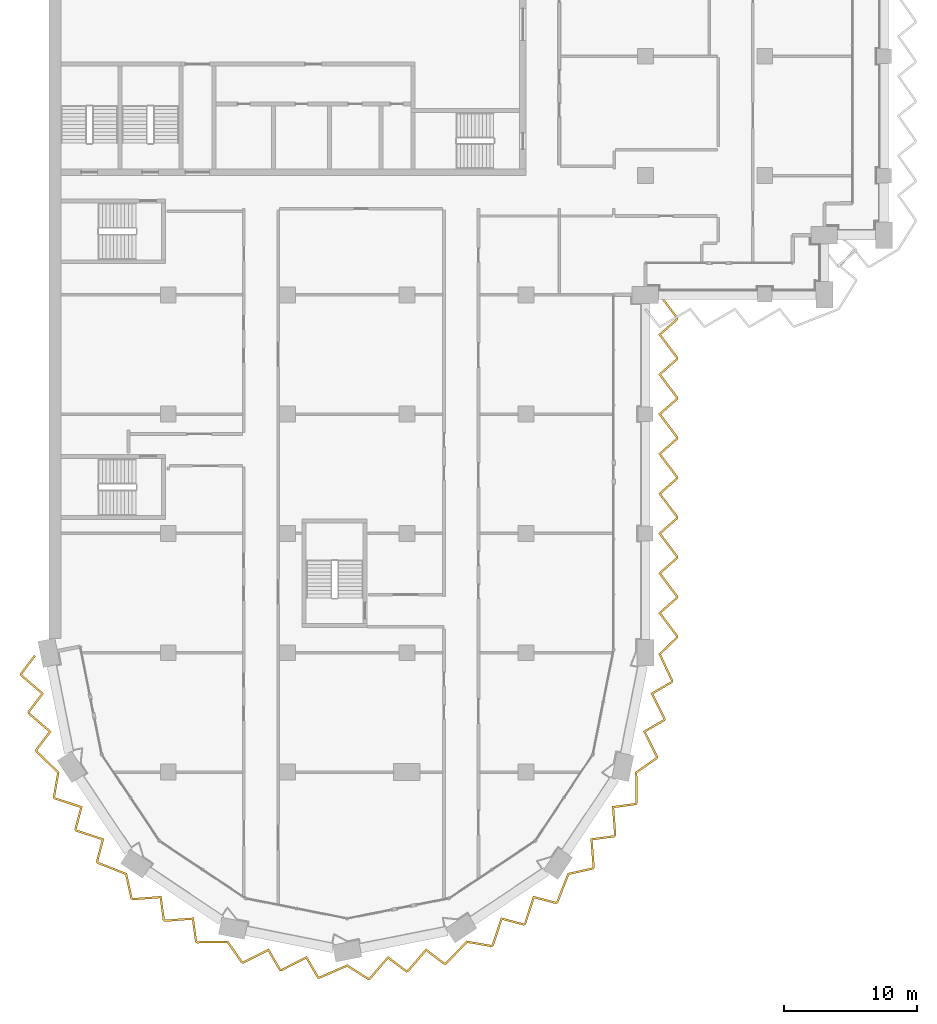
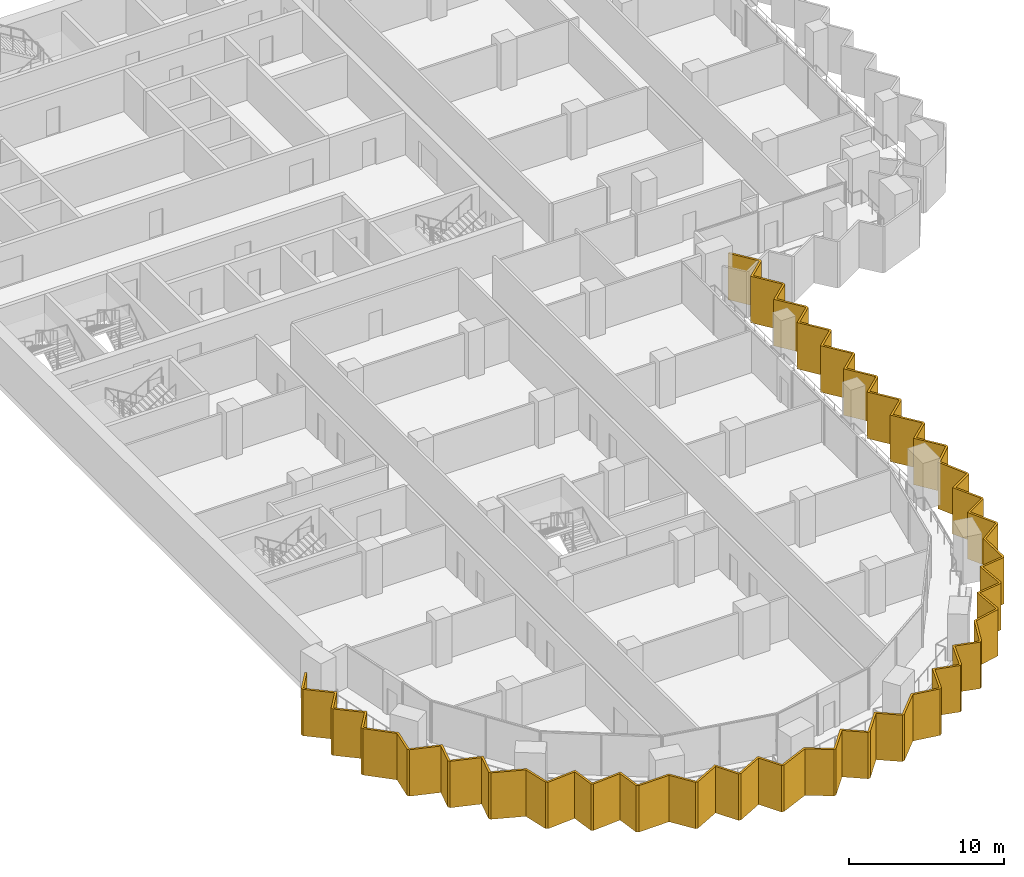
# One storey, part 18 of 22: 1 shading device.
"""IFC4 building model written with IfcOpenShell, lengths in metres."""

from ifc_helpers import new_model, si_unit, direction, frame, origin, place, context, subcontext, project, spatial, polyline, outline, extrude, material, layer, layer_set, type_object, element, save


model = new_model("IFC4")

# Units and contexts
model_context = context("Model", 3, precision=1e-05, world=origin(), true_north=direction((0.0, 1.0)))
body_context = subcontext(model_context, "Body", "Model", "MODEL_VIEW")
ifc_project = project(units=[si_unit("LENGTHUNIT", "METRE"), si_unit("AREAUNIT", "SQUARE_METRE"), si_unit("VOLUMEUNIT", "CUBIC_METRE"), si_unit("PLANEANGLEUNIT", "RADIAN"), si_unit("MASSUNIT", "GRAM", prefix="KILO")], contexts=[model_context])

# Site, building, storey
site_placement = place(None, origin())
site = spatial("IfcSite", under=ifc_project, at=site_placement, CompositionType="ELEMENT")
building_placement = place(site_placement, origin())
building = spatial("IfcBuilding", under=site, at=building_placement, Name="Hunhe Ridgeline Campus", CompositionType="ELEMENT")
storey_placement = place(building_placement, frame((0.0, 0.0, 159.699951171875)))
storey = spatial("IfcBuildingStorey", under=building, at=storey_placement, Name="L40", CompositionType="ELEMENT", Elevation=159.699951171875)

# Shading device
ifc_material = material(Name="Concrete C50", Category="concrete")
ifc_layer = layer(ifc_material, 0.14990234375)
ifc_layer_set = layer_set([ifc_layer], Name="Sawtooth concrete fin 150 Concrete C50")
shading_device_type = type_object("IfcShadingDeviceType", Name="Sawtooth concrete fin 150 Concrete C50", PredefinedType="USERDEFINED", material=ifc_layer_set)
shading_device_placement = place(storey_placement, frame((0.0, 0.0, -0.949951171875)))
element("IfcShadingDevice", 1, at=shading_device_placement, inside=storey, type_object=shading_device_type, Name="Concrete fin screen 1", ObjectType="FIN", PredefinedType="USERDEFINED", context=body_context, shape_type="SweptSolid", body=[
    extrude(outline(polyline([(-0.99462890625, 26.744873046875), (-1.114013671875, 26.835693359375), (-2.185791015625, 25.43017578125), (-2.150634765625, 25.25390625), (-0.5859375, 23.909423828125), (-1.61474609375, 22.56005859375), (-1.579833984375, 22.3837890625), (-0.01513671875, 21.039306640625), (-1.0439453125, 19.68994140625), (-1.00927734375, 19.515869140625), (0.619384765625, 17.94384765625), (0.296142578125, 16.099609375), (0.39404296875, 15.953369140625), (2.35400390625, 15.31005859375), (1.919921875, 13.669677734375), (2.019775390625, 13.520263671875), (3.97998046875, 12.876953125), (3.545654296875, 11.236572265625), (3.644287109375, 11.089111328125), (5.75048828125, 10.259765625), (6.15771484375, 8.432373046875), (6.303955078125, 8.334716796875), (8.361083984375, 8.490234375), (8.587890625, 6.80859375), (8.7373046875, 6.708740234375), (10.79443359375, 6.864501953125), (11.02099609375, 5.182861328125), (11.16845703125, 5.08447265625), (13.431640625, 5.12451171875), (14.50732421875, 3.591796875), (14.6796875, 3.5576171875), (16.520751953125, 4.488525390625), (17.37353515625, 3.021728515625), (17.550048828125, 2.986572265625), (19.390869140625, 3.917724609375), (20.243896484375, 2.45068359375), (20.417724609375, 2.416259765625), (22.493408203125, 3.3193359375), (24.073486328125, 2.31494140625), (24.24609375, 2.349365234375), (25.590576171875, 3.9140625), (26.93994140625, 2.88525390625), (27.1162109375, 2.920166015625), (28.460693359375, 4.48486328125), (29.81005859375, 3.4560546875), (29.984130859375, 3.49072265625), (31.55615234375, 5.119384765625), (33.400390625, 4.796142578125), (33.546630859375, 4.89404296875), (34.18994140625, 6.85400390625), (35.830322265625, 6.419921875), (35.979736328125, 6.519775390625), (36.623046875, 8.47998046875), (38.263427734375, 8.045654296875), (38.410888671875, 8.144287109375), (39.240234375, 10.25048828125), (41.067626953125, 10.65771484375), (41.165283203125, 10.803955078125), (41.009765625, 12.861083984375), (42.69140625, 13.087890625), (42.791259765625, 13.2373046875), (42.635498046875, 15.29443359375), (44.317138671875, 15.52099609375), (44.41552734375, 15.66845703125), (44.37548828125, 17.931640625), (45.908203125, 19.00732421875), (45.9423828125, 19.1796875), (45.011474609375, 21.020751953125), (46.478271484375, 21.87353515625), (46.513427734375, 22.050048828125), (45.582275390625, 23.890869140625), (47.04931640625, 24.743896484375), (47.083984375, 24.9189453125), (46.165771484375, 26.87744140625), (47.449951171875, 28.115234375), (47.449951171875, 28.292236328125), (46.176513671875, 29.989501953125), (47.449951171875, 31.11328125), (47.449951171875, 31.292236328125), (46.176513671875, 32.989501953125), (47.449951171875, 34.11328125), (47.449951171875, 34.292236328125), (46.176513671875, 35.989501953125), (47.449951171875, 37.11328125), (47.449951171875, 37.292236328125), (46.176513671875, 38.989501953125), (47.449951171875, 40.11328125), (47.449951171875, 40.292236328125), (46.176513671875, 41.989501953125), (47.449951171875, 43.11328125), (47.449951171875, 43.292236328125), (46.176513671875, 44.989501953125), (47.449951171875, 46.11328125), (47.449951171875, 46.292236328125), (46.176513671875, 47.989501953125), (47.449951171875, 49.11328125), (47.449951171875, 49.292236328125), (46.176513671875, 50.989501953125), (47.449951171875, 52.11328125), (47.449951171875, 52.292236328125), (46.135009765625, 54.044921875), (46.014892578125, 53.955078125), (47.300048828125, 52.2421875), (47.300048828125, 52.180908203125), (45.973388671875, 51.010498046875), (47.300048828125, 49.2421875), (47.300048828125, 49.180908203125), (45.973388671875, 48.010498046875), (47.300048828125, 46.2421875), (47.300048828125, 46.180908203125), (45.973388671875, 45.010498046875), (47.300048828125, 43.2421875), (47.300048828125, 43.180908203125), (45.973388671875, 42.010498046875), (47.300048828125, 40.2421875), (47.300048828125, 40.180908203125), (45.973388671875, 39.010498046875), (47.300048828125, 37.2421875), (47.300048828125, 37.180908203125), (45.973388671875, 36.010498046875), (47.300048828125, 34.2421875), (47.300048828125, 34.180908203125), (45.973388671875, 33.010498046875), (47.300048828125, 31.2421875), (47.300048828125, 31.180908203125), (45.973388671875, 30.010498046875), (47.300048828125, 28.2421875), (47.300048828125, 28.178955078125), (45.984375, 26.910888671875), (46.92724609375, 24.899658203125), (46.915283203125, 24.83935546875), (45.384521484375, 23.949462890625), (46.356201171875, 22.0283203125), (46.344482421875, 21.96923828125), (44.813720703125, 21.079345703125), (45.78515625, 19.158203125), (45.772705078125, 19.095458984375), (44.22412109375, 18.0087890625), (44.264892578125, 15.712646484375), (44.22998046875, 15.66064453125), (42.47509765625, 15.424072265625), (42.6376953125, 13.277587890625), (42.604248046875, 13.227294921875), (40.849365234375, 12.990966796875), (41.011962890625, 10.84423828125), (40.976318359375, 10.791015625), (39.129638671875, 10.379638671875), (38.28857421875, 8.242919921875), (38.236572265625, 8.2080078125), (36.524658203125, 8.6611328125), (35.853515625, 6.61572265625), (35.80322265625, 6.582275390625), (34.091552734375, 7.035400390625), (33.420166015625, 4.989990234375), (33.366943359375, 4.954345703125), (31.50341796875, 5.28076171875), (29.90869140625, 3.628662109375), (29.84716796875, 3.616455078125), (28.439208984375, 4.68994140625), (27.0361328125, 3.05712890625), (26.97705078125, 3.04541015625), (25.569091796875, 4.119140625), (24.166015625, 2.486328125), (24.103271484375, 2.473876953125), (22.506591796875, 3.488525390625), (20.40087890625, 2.572509765625), (20.33935546875, 2.584716796875), (19.449462890625, 4.115478515625), (17.5283203125, 3.143798828125), (17.46923828125, 3.155517578125), (16.579345703125, 4.686279296875), (14.658203125, 3.71484375), (14.595458984375, 3.727294921875), (13.5087890625, 5.27587890625), (11.212646484375, 5.235107421875), (11.16064453125, 5.27001953125), (10.924072265625, 7.02490234375), (8.777587890625, 6.8623046875), (8.727294921875, 6.895751953125), (8.490966796875, 8.650634765625), (6.34423828125, 8.488037109375), (6.291015625, 8.523681640625), (5.879638671875, 10.370361328125), (3.742919921875, 11.21142578125), (3.7080078125, 11.263427734375), (4.1611328125, 12.975341796875), (2.11572265625, 13.646484375), (2.082275390625, 13.69677734375), (2.535400390625, 15.408447265625), (0.489990234375, 16.079833984375), (0.454345703125, 16.133056640625), (0.78076171875, 17.99658203125), (-0.871337890625, 19.59130859375), (-0.883544921875, 19.65283203125), (0.18994140625, 21.060791015625), (-1.44287109375, 22.4638671875), (-1.45458984375, 22.52294921875), (-0.380859375, 23.930908203125), (-2.013671875, 25.333984375), (-2.025390625, 25.39306640625), (-0.99462890625, 26.744873046875)])), origin(), (0.0, 0.0, 1.0), 3.64990234375),
])

save(model, "model.ifc")
